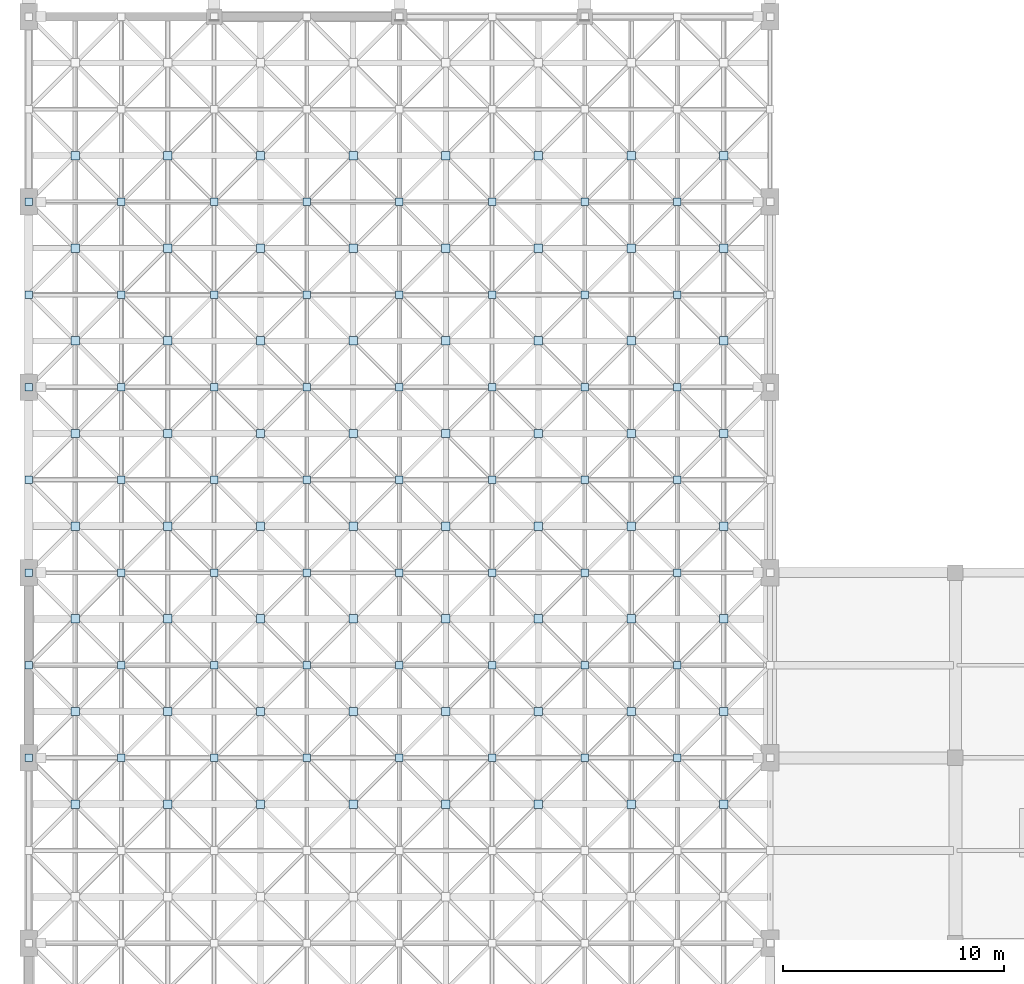
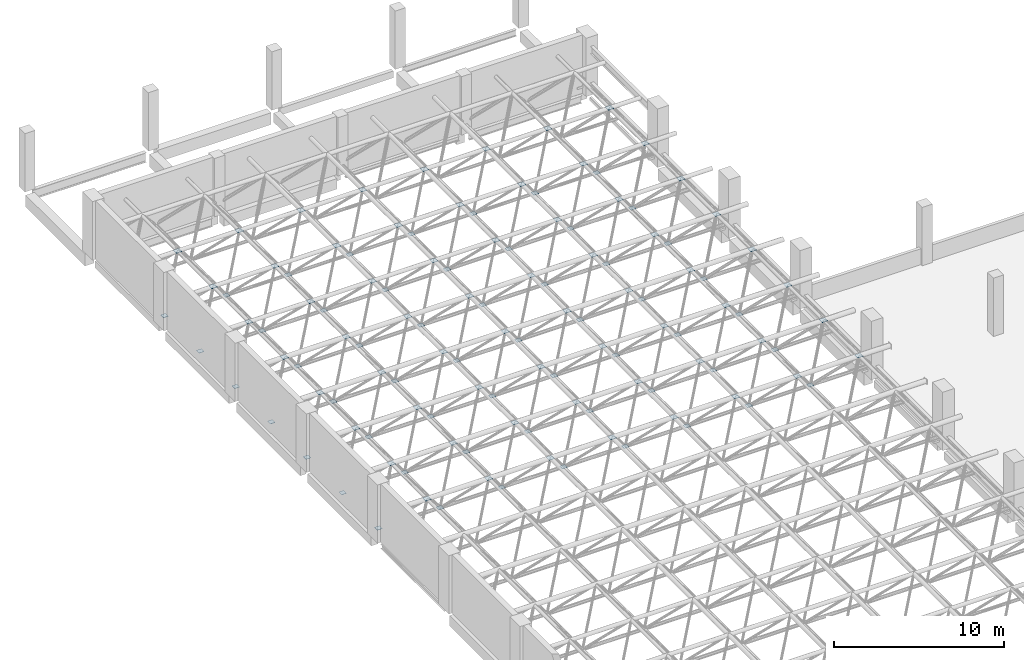
# One storey, part 46 of 64: 120 plates.
"""IFC4 building model written with IfcOpenShell, lengths in metres."""

from ifc_helpers import new_model, si_unit, derived_unit, direction, frame, origin, origin_2d, place, context, subcontext, project, spatial, rectangle, extrude, material, layer, layer_set, type_object, element, save


model = new_model("IFC4")

# Units and contexts
model_context = context("Model", 3, precision=1e-05, world=origin(), true_north=direction((0.0, 1.0)))
body_context = subcontext(model_context, "Body", "Model", "MODEL_VIEW")
ifc_project = project(units=[si_unit("LENGTHUNIT", "METRE"), si_unit("AREAUNIT", "SQUARE_METRE"), si_unit("VOLUMEUNIT", "CUBIC_METRE"), si_unit("PLANEANGLEUNIT", "RADIAN"), si_unit("MASSUNIT", "GRAM", prefix="KILO"), derived_unit("THERMALTRANSMITTANCEUNIT", [(si_unit("POWERUNIT", "WATT"), 1), (si_unit("LENGTHUNIT", "METRE"), -2), (si_unit("THERMODYNAMICTEMPERATUREUNIT", "KELVIN"), -1)])], contexts=[model_context])

# Site, building, storey
site_placement = place(None, origin())
site = spatial("IfcSite", under=ifc_project, at=site_placement, CompositionType="ELEMENT")
building_placement = place(site_placement, origin())
building = spatial("IfcBuilding", under=site, at=building_placement, Name="Barrovel Congress Hotel", CompositionType="ELEMENT")
storey_placement = place(building_placement, frame((0.0, 0.0, 14.10009765625)))
storey = spatial("IfcBuildingStorey", under=building, at=storey_placement, Name="L03", CompositionType="ELEMENT", Elevation=14.10009765625)

# Plates
ifc_material = material(Name="Steel ASTM A992 Grade 50", Category="steel")
ifc_layer_1 = layer(ifc_material, 0.01611328125)
ifc_layer_set_1 = layer_set([ifc_layer_1], Name="Steel ASTM A992 Grade 50")
plate_type_1 = type_object("IfcPlateType", Name="GP-16", PredefinedType="SHEET", material=ifc_layer_set_1)
for number, where, z_axis, x_axis, name in (
    (1, (6.300048828125, 73.5, 3.241943359375), (0.0, 0.0, 1.0), (1.0, 0.0, 0.0), "Space Frame Node Gusset Plate 1-8"),
    (2, (6.300048828125, 81.89990234375, 3.241943359375), (0.0, 0.0, 1.0), (1.0, 0.0, 0.0), "Space Frame Node Gusset Plate 1-10"),
    (3, (6.300048828125, 90.300048828125, 3.241943359375), (0.0, 0.0, 1.0), (1.0, 0.0, 0.0), "Space Frame Node Gusset Plate 1-12"),
    (4, (6.300048828125, 98.699951171875, 3.241943359375), (0.0, 0.0, 1.0), (1.0, 0.0, 0.0), "Space Frame Node Gusset Plate 1-14"),
    (5, (10.5, 69.300048828125, 3.241943359375), (0.0, 0.0, 1.0), (1.0, 0.0, 0.0), "Space Frame Node Gusset Plate 2-7"),
    (6, (10.5, 77.699951171875, 3.241943359375), (0.0, 0.0, 1.0), (1.0, 0.0, 0.0), "Space Frame Node Gusset Plate 2-9"),
    (7, (10.5, 86.10009765625, 3.241943359375), (0.0, 0.0, 1.0), (1.0, 0.0, 0.0), "Space Frame Node Gusset Plate 2-11"),
    (8, (10.5, 94.5, 3.241943359375), (0.0, 0.0, 1.0), (1.0, 0.0, 0.0), "Space Frame Node Gusset Plate 2-13"),
    (9, (14.699951171875, 73.5, 3.241943359375), (0.0, 0.0, 1.0), (1.0, 0.0, 0.0), "Space Frame Node Gusset Plate 3-8"),
    (10, (14.699951171875, 81.89990234375, 3.241943359375), (0.0, 0.0, 1.0), (1.0, 0.0, 0.0), "Space Frame Node Gusset Plate 3-10"),
    (11, (14.699951171875, 90.300048828125, 3.241943359375), (0.0, 0.0, 1.0), (1.0, 0.0, 0.0), "Space Frame Node Gusset Plate 3-12"),
    (12, (14.699951171875, 98.699951171875, 3.241943359375), (0.0, 0.0, 1.0), (1.0, 0.0, 0.0), "Space Frame Node Gusset Plate 3-14"),
    (13, (18.89990234375, 69.300048828125, 3.241943359375), (0.0, 0.0, 1.0), (1.0, 0.0, 0.0), "Space Frame Node Gusset Plate 4-7"),
    (14, (18.89990234375, 77.699951171875, 3.241943359375), (0.0, 0.0, 1.0), (1.0, 0.0, 0.0), "Space Frame Node Gusset Plate 4-9"),
    (15, (18.89990234375, 86.10009765625, 3.241943359375), (0.0, 0.0, 1.0), (1.0, 0.0, 0.0), "Space Frame Node Gusset Plate 4-11"),
    (16, (18.89990234375, 94.5, 3.241943359375), (0.0, 0.0, 1.0), (1.0, 0.0, 0.0), "Space Frame Node Gusset Plate 4-13"),
    (17, (23.10009765625, 73.5, 3.241943359375), (0.0, 0.0, 1.0), (1.0, 0.0, 0.0), "Space Frame Node Gusset Plate 5-8"),
    (18, (23.10009765625, 81.89990234375, 3.241943359375), (0.0, 0.0, 1.0), (1.0, 0.0, 0.0), "Space Frame Node Gusset Plate 5-10"),
    (19, (23.10009765625, 90.300048828125, 3.241943359375), (0.0, 0.0, 1.0), (1.0, 0.0, 0.0), "Space Frame Node Gusset Plate 5-12"),
    (20, (23.10009765625, 98.699951171875, 3.241943359375), (0.0, 0.0, 1.0), (1.0, 0.0, 0.0), "Space Frame Node Gusset Plate 5-14"),
    (21, (27.300048828125, 69.300048828125, 3.241943359375), (0.0, 0.0, 1.0), (1.0, 0.0, 0.0), "Space Frame Node Gusset Plate 6-7"),
    (22, (27.300048828125, 77.699951171875, 3.241943359375), (0.0, 0.0, 1.0), (1.0, 0.0, 0.0), "Space Frame Node Gusset Plate 6-9"),
    (23, (27.300048828125, 86.10009765625, 3.241943359375), (0.0, 0.0, 1.0), (1.0, 0.0, 0.0), "Space Frame Node Gusset Plate 6-11"),
    (24, (27.300048828125, 94.5, 3.241943359375), (0.0, 0.0, 1.0), (1.0, 0.0, 0.0), "Space Frame Node Gusset Plate 6-13"),
):
    element("IfcPlate", number, at=place(storey_placement, frame(where, z_axis=z_axis, x_axis=x_axis)), inside=storey, type_object=plate_type_1, Name=name, PredefinedType="SHEET", context=body_context, shape_type="SweptSolid", body=[
        extrude(rectangle(XDim=0.3798828125, YDim=0.3798828125, at=origin_2d()), origin(), (0.0, 0.0, 1.0), 0.01611328125),
    ])
for number, where, z_axis, x_axis, name in (
    (25, (0.0, 71.39990234375, 0.591796875), (0.0, 0.0, 1.0), (1.0, 0.0, 0.0), "Space Frame Bottom Node Gusset Plate 0-8"),
    (26, (0.0, 75.60009765625, 0.591796875), (0.0, 0.0, 1.0), (1.0, 0.0, 0.0), "Space Frame Bottom Node Gusset Plate 0-9"),
    (27, (0.0, 79.800048828125, 0.591796875), (0.0, 0.0, 1.0), (1.0, 0.0, 0.0), "Space Frame Bottom Node Gusset Plate 0-10"),
    (28, (0.0, 84.0, 0.591796875), (0.0, 0.0, 1.0), (1.0, 0.0, 0.0), "Space Frame Bottom Node Gusset Plate 0-11"),
    (29, (0.0, 88.199951171875, 0.591796875), (0.0, 0.0, 1.0), (1.0, 0.0, 0.0), "Space Frame Bottom Node Gusset Plate 0-12"),
    (30, (0.0, 92.39990234375, 0.591796875), (0.0, 0.0, 1.0), (1.0, 0.0, 0.0), "Space Frame Bottom Node Gusset Plate 0-13"),
    (31, (0.0, 96.60009765625, 0.591796875), (0.0, 0.0, 1.0), (1.0, 0.0, 0.0), "Space Frame Bottom Node Gusset Plate 0-14"),
    (32, (4.199951171875, 71.39990234375, 0.591796875), (0.0, 0.0, 1.0), (1.0, 0.0, 0.0), "Space Frame Bottom Node Gusset Plate 1-8"),
    (33, (4.199951171875, 75.60009765625, 0.591796875), (0.0, 0.0, 1.0), (1.0, 0.0, 0.0), "Space Frame Bottom Node Gusset Plate 1-9"),
    (34, (4.199951171875, 79.800048828125, 0.591796875), (0.0, 0.0, 1.0), (1.0, 0.0, 0.0), "Space Frame Bottom Node Gusset Plate 1-10"),
    (35, (4.199951171875, 84.0, 0.591796875), (0.0, 0.0, 1.0), (1.0, 0.0, 0.0), "Space Frame Bottom Node Gusset Plate 1-11"),
    (36, (4.199951171875, 88.199951171875, 0.591796875), (0.0, 0.0, 1.0), (1.0, 0.0, 0.0), "Space Frame Bottom Node Gusset Plate 1-12"),
    (37, (4.199951171875, 92.39990234375, 0.591796875), (0.0, 0.0, 1.0), (1.0, 0.0, 0.0), "Space Frame Bottom Node Gusset Plate 1-13"),
    (38, (4.199951171875, 96.60009765625, 0.591796875), (0.0, 0.0, 1.0), (1.0, 0.0, 0.0), "Space Frame Bottom Node Gusset Plate 1-14"),
    (39, (8.39990234375, 71.39990234375, 0.591796875), (0.0, 0.0, 1.0), (1.0, 0.0, 0.0), "Space Frame Bottom Node Gusset Plate 2-8"),
    (40, (8.39990234375, 75.60009765625, 0.591796875), (0.0, 0.0, 1.0), (1.0, 0.0, 0.0), "Space Frame Bottom Node Gusset Plate 2-9"),
    (41, (8.39990234375, 79.800048828125, 0.591796875), (0.0, 0.0, 1.0), (1.0, 0.0, 0.0), "Space Frame Bottom Node Gusset Plate 2-10"),
    (42, (8.39990234375, 84.0, 0.591796875), (0.0, 0.0, 1.0), (1.0, 0.0, 0.0), "Space Frame Bottom Node Gusset Plate 2-11"),
    (43, (8.39990234375, 88.199951171875, 0.591796875), (0.0, 0.0, 1.0), (1.0, 0.0, 0.0), "Space Frame Bottom Node Gusset Plate 2-12"),
    (44, (8.39990234375, 92.39990234375, 0.591796875), (0.0, 0.0, 1.0), (1.0, 0.0, 0.0), "Space Frame Bottom Node Gusset Plate 2-13"),
    (45, (8.39990234375, 96.60009765625, 0.591796875), (0.0, 0.0, 1.0), (1.0, 0.0, 0.0), "Space Frame Bottom Node Gusset Plate 2-14"),
    (46, (12.60009765625, 71.39990234375, 0.591796875), (0.0, 0.0, 1.0), (1.0, 0.0, 0.0), "Space Frame Bottom Node Gusset Plate 3-8"),
    (47, (12.60009765625, 75.60009765625, 0.591796875), (0.0, 0.0, 1.0), (1.0, 0.0, 0.0), "Space Frame Bottom Node Gusset Plate 3-9"),
    (48, (12.60009765625, 79.800048828125, 0.591796875), (0.0, 0.0, 1.0), (1.0, 0.0, 0.0), "Space Frame Bottom Node Gusset Plate 3-10"),
    (49, (12.60009765625, 84.0, 0.591796875), (0.0, 0.0, 1.0), (1.0, 0.0, 0.0), "Space Frame Bottom Node Gusset Plate 3-11"),
    (50, (12.60009765625, 88.199951171875, 0.591796875), (0.0, 0.0, 1.0), (1.0, 0.0, 0.0), "Space Frame Bottom Node Gusset Plate 3-12"),
    (51, (12.60009765625, 92.39990234375, 0.591796875), (0.0, 0.0, 1.0), (1.0, 0.0, 0.0), "Space Frame Bottom Node Gusset Plate 3-13"),
    (52, (12.60009765625, 96.60009765625, 0.591796875), (0.0, 0.0, 1.0), (1.0, 0.0, 0.0), "Space Frame Bottom Node Gusset Plate 3-14"),
    (53, (16.800048828125, 71.39990234375, 0.591796875), (0.0, 0.0, 1.0), (1.0, 0.0, 0.0), "Space Frame Bottom Node Gusset Plate 4-8"),
    (54, (16.800048828125, 75.60009765625, 0.591796875), (0.0, 0.0, 1.0), (1.0, 0.0, 0.0), "Space Frame Bottom Node Gusset Plate 4-9"),
    (55, (16.800048828125, 79.800048828125, 0.591796875), (0.0, 0.0, 1.0), (1.0, 0.0, 0.0), "Space Frame Bottom Node Gusset Plate 4-10"),
    (56, (16.800048828125, 84.0, 0.591796875), (0.0, 0.0, 1.0), (1.0, 0.0, 0.0), "Space Frame Bottom Node Gusset Plate 4-11"),
    (57, (16.800048828125, 88.199951171875, 0.591796875), (0.0, 0.0, 1.0), (1.0, 0.0, 0.0), "Space Frame Bottom Node Gusset Plate 4-12"),
    (58, (16.800048828125, 92.39990234375, 0.591796875), (0.0, 0.0, 1.0), (1.0, 0.0, 0.0), "Space Frame Bottom Node Gusset Plate 4-13"),
    (59, (16.800048828125, 96.60009765625, 0.591796875), (0.0, 0.0, 1.0), (1.0, 0.0, 0.0), "Space Frame Bottom Node Gusset Plate 4-14"),
    (60, (21.0, 71.39990234375, 0.591796875), (0.0, 0.0, 1.0), (1.0, 0.0, 0.0), "Space Frame Bottom Node Gusset Plate 5-8"),
    (61, (21.0, 75.60009765625, 0.591796875), (0.0, 0.0, 1.0), (1.0, 0.0, 0.0), "Space Frame Bottom Node Gusset Plate 5-9"),
    (62, (21.0, 79.800048828125, 0.591796875), (0.0, 0.0, 1.0), (1.0, 0.0, 0.0), "Space Frame Bottom Node Gusset Plate 5-10"),
    (63, (21.0, 84.0, 0.591796875), (0.0, 0.0, 1.0), (1.0, 0.0, 0.0), "Space Frame Bottom Node Gusset Plate 5-11"),
    (64, (21.0, 88.199951171875, 0.591796875), (0.0, 0.0, 1.0), (1.0, 0.0, 0.0), "Space Frame Bottom Node Gusset Plate 5-12"),
    (65, (21.0, 92.39990234375, 0.591796875), (0.0, 0.0, 1.0), (1.0, 0.0, 0.0), "Space Frame Bottom Node Gusset Plate 5-13"),
    (66, (21.0, 96.60009765625, 0.591796875), (0.0, 0.0, 1.0), (1.0, 0.0, 0.0), "Space Frame Bottom Node Gusset Plate 5-14"),
    (67, (25.199951171875, 71.39990234375, 0.591796875), (0.0, 0.0, 1.0), (1.0, 0.0, 0.0), "Space Frame Bottom Node Gusset Plate 6-8"),
    (68, (25.199951171875, 75.60009765625, 0.591796875), (0.0, 0.0, 1.0), (1.0, 0.0, 0.0), "Space Frame Bottom Node Gusset Plate 6-9"),
    (69, (25.199951171875, 79.800048828125, 0.591796875), (0.0, 0.0, 1.0), (1.0, 0.0, 0.0), "Space Frame Bottom Node Gusset Plate 6-10"),
    (70, (25.199951171875, 84.0, 0.591796875), (0.0, 0.0, 1.0), (1.0, 0.0, 0.0), "Space Frame Bottom Node Gusset Plate 6-11"),
    (71, (25.199951171875, 88.199951171875, 0.591796875), (0.0, 0.0, 1.0), (1.0, 0.0, 0.0), "Space Frame Bottom Node Gusset Plate 6-12"),
    (72, (25.199951171875, 92.39990234375, 0.591796875), (0.0, 0.0, 1.0), (1.0, 0.0, 0.0), "Space Frame Bottom Node Gusset Plate 6-13"),
    (73, (25.199951171875, 96.60009765625, 0.591796875), (0.0, 0.0, 1.0), (1.0, 0.0, 0.0), "Space Frame Bottom Node Gusset Plate 6-14"),
    (74, (29.39990234375, 71.39990234375, 0.591796875), (0.0, 0.0, 1.0), (1.0, 0.0, 0.0), "Space Frame Bottom Node Gusset Plate 7-8"),
    (75, (29.39990234375, 75.60009765625, 0.591796875), (0.0, 0.0, 1.0), (1.0, 0.0, 0.0), "Space Frame Bottom Node Gusset Plate 7-9"),
    (76, (29.39990234375, 79.800048828125, 0.591796875), (0.0, 0.0, 1.0), (1.0, 0.0, 0.0), "Space Frame Bottom Node Gusset Plate 7-10"),
    (77, (29.39990234375, 84.0, 0.591796875), (0.0, 0.0, 1.0), (1.0, 0.0, 0.0), "Space Frame Bottom Node Gusset Plate 7-11"),
    (78, (29.39990234375, 88.199951171875, 0.591796875), (0.0, 0.0, 1.0), (1.0, 0.0, 0.0), "Space Frame Bottom Node Gusset Plate 7-12"),
    (79, (29.39990234375, 92.39990234375, 0.591796875), (0.0, 0.0, 1.0), (1.0, 0.0, 0.0), "Space Frame Bottom Node Gusset Plate 7-13"),
    (80, (29.39990234375, 96.60009765625, 0.591796875), (0.0, 0.0, 1.0), (1.0, 0.0, 0.0), "Space Frame Bottom Node Gusset Plate 7-14"),
):
    element("IfcPlate", number, at=place(storey_placement, frame(where, z_axis=z_axis, x_axis=x_axis)), inside=storey, type_object=plate_type_1, Name=name, PredefinedType="SHEET", context=body_context, shape_type="SweptSolid", body=[
        extrude(rectangle(XDim=0.340087890625, YDim=0.340087890625, at=origin_2d()), origin(), (0.0, 0.0, 1.0), 0.01611328125),
    ])
ifc_layer_2 = layer(ifc_material, 0.02392578125)
ifc_layer_set_2 = layer_set([ifc_layer_2], Name="Steel ASTM A992 Grade 50")
plate_type_2 = type_object("IfcPlateType", Name="GP-24", PredefinedType="SHEET", material=ifc_layer_set_2)
for number, where, z_axis, x_axis, name in (
    (81, (2.10009765625, 73.5, 3.238037109375), (0.0, 0.0, 1.0), (1.0, 0.0, 0.0), "Space Frame Node Gusset Plate 0-8"),
    (82, (2.10009765625, 81.89990234375, 3.238037109375), (0.0, 0.0, 1.0), (1.0, 0.0, 0.0), "Space Frame Node Gusset Plate 0-10"),
    (83, (2.10009765625, 90.300048828125, 3.238037109375), (0.0, 0.0, 1.0), (1.0, 0.0, 0.0), "Space Frame Node Gusset Plate 0-12"),
    (84, (2.10009765625, 98.699951171875, 3.238037109375), (0.0, 0.0, 1.0), (1.0, 0.0, 0.0), "Space Frame Node Gusset Plate 0-14"),
    (85, (6.300048828125, 69.300048828125, 3.238037109375), (0.0, 0.0, 1.0), (1.0, 0.0, 0.0), "Space Frame Node Gusset Plate 1-7"),
    (86, (6.300048828125, 77.699951171875, 3.238037109375), (0.0, 0.0, 1.0), (1.0, 0.0, 0.0), "Space Frame Node Gusset Plate 1-9"),
    (87, (6.300048828125, 86.10009765625, 3.238037109375), (0.0, 0.0, 1.0), (1.0, 0.0, 0.0), "Space Frame Node Gusset Plate 1-11"),
    (88, (6.300048828125, 94.5, 3.238037109375), (0.0, 0.0, 1.0), (1.0, 0.0, 0.0), "Space Frame Node Gusset Plate 1-13"),
    (89, (10.5, 73.5, 3.238037109375), (0.0, 0.0, 1.0), (1.0, 0.0, 0.0), "Space Frame Node Gusset Plate 2-8"),
    (90, (10.5, 81.89990234375, 3.238037109375), (0.0, 0.0, 1.0), (1.0, 0.0, 0.0), "Space Frame Node Gusset Plate 2-10"),
    (91, (10.5, 90.300048828125, 3.238037109375), (0.0, 0.0, 1.0), (1.0, 0.0, 0.0), "Space Frame Node Gusset Plate 2-12"),
    (92, (10.5, 98.699951171875, 3.238037109375), (0.0, 0.0, 1.0), (1.0, 0.0, 0.0), "Space Frame Node Gusset Plate 2-14"),
    (93, (14.699951171875, 69.300048828125, 3.238037109375), (0.0, 0.0, 1.0), (1.0, 0.0, 0.0), "Space Frame Node Gusset Plate 3-7"),
    (94, (14.699951171875, 77.699951171875, 3.238037109375), (0.0, 0.0, 1.0), (1.0, 0.0, 0.0), "Space Frame Node Gusset Plate 3-9"),
    (95, (14.699951171875, 86.10009765625, 3.238037109375), (0.0, 0.0, 1.0), (1.0, 0.0, 0.0), "Space Frame Node Gusset Plate 3-11"),
    (96, (14.699951171875, 94.5, 3.238037109375), (0.0, 0.0, 1.0), (1.0, 0.0, 0.0), "Space Frame Node Gusset Plate 3-13"),
    (97, (18.89990234375, 73.5, 3.238037109375), (0.0, 0.0, 1.0), (1.0, 0.0, 0.0), "Space Frame Node Gusset Plate 4-8"),
    (98, (18.89990234375, 81.89990234375, 3.238037109375), (0.0, 0.0, 1.0), (1.0, 0.0, 0.0), "Space Frame Node Gusset Plate 4-10"),
    (99, (18.89990234375, 90.300048828125, 3.238037109375), (0.0, 0.0, 1.0), (1.0, 0.0, 0.0), "Space Frame Node Gusset Plate 4-12"),
    (100, (18.89990234375, 98.699951171875, 3.238037109375), (0.0, 0.0, 1.0), (1.0, 0.0, 0.0), "Space Frame Node Gusset Plate 4-14"),
    (101, (23.10009765625, 69.300048828125, 3.238037109375), (0.0, 0.0, 1.0), (1.0, 0.0, 0.0), "Space Frame Node Gusset Plate 5-7"),
    (102, (23.10009765625, 77.699951171875, 3.238037109375), (0.0, 0.0, 1.0), (1.0, 0.0, 0.0), "Space Frame Node Gusset Plate 5-9"),
    (103, (23.10009765625, 86.10009765625, 3.238037109375), (0.0, 0.0, 1.0), (1.0, 0.0, 0.0), "Space Frame Node Gusset Plate 5-11"),
    (104, (23.10009765625, 94.5, 3.238037109375), (0.0, 0.0, 1.0), (1.0, 0.0, 0.0), "Space Frame Node Gusset Plate 5-13"),
    (105, (27.300048828125, 73.5, 3.238037109375), (0.0, 0.0, 1.0), (1.0, 0.0, 0.0), "Space Frame Node Gusset Plate 6-8"),
    (106, (27.300048828125, 81.89990234375, 3.238037109375), (0.0, 0.0, 1.0), (1.0, 0.0, 0.0), "Space Frame Node Gusset Plate 6-10"),
    (107, (27.300048828125, 90.300048828125, 3.238037109375), (0.0, 0.0, 1.0), (1.0, 0.0, 0.0), "Space Frame Node Gusset Plate 6-12"),
    (108, (27.300048828125, 98.699951171875, 3.238037109375), (0.0, 0.0, 1.0), (1.0, 0.0, 0.0), "Space Frame Node Gusset Plate 6-14"),
    (109, (31.5, 69.300048828125, 3.238037109375), (0.0, 0.0, 1.0), (1.0, 0.0, 0.0), "Space Frame Node Gusset Plate 7-7"),
    (110, (31.5, 77.699951171875, 3.238037109375), (0.0, 0.0, 1.0), (1.0, 0.0, 0.0), "Space Frame Node Gusset Plate 7-9"),
    (111, (31.5, 86.10009765625, 3.238037109375), (0.0, 0.0, 1.0), (1.0, 0.0, 0.0), "Space Frame Node Gusset Plate 7-11"),
    (112, (31.5, 94.5, 3.238037109375), (0.0, 0.0, 1.0), (1.0, 0.0, 0.0), "Space Frame Node Gusset Plate 7-13"),
):
    element("IfcPlate", number, at=place(storey_placement, frame(where, z_axis=z_axis, x_axis=x_axis)), inside=storey, type_object=plate_type_2, Name=name, PredefinedType="SHEET", context=body_context, shape_type="SweptSolid", body=[
        extrude(rectangle(XDim=0.3798828125, YDim=0.3798828125, at=origin_2d()), origin(), (0.0, 0.0, 1.0), 0.02392578125),
    ])
ifc_layer_3 = layer(ifc_material, 0.035888671875)
ifc_layer_set_3 = layer_set([ifc_layer_3], Name="Steel ASTM A992 Grade 50")
plate_type_3 = type_object("IfcPlateType", Name="GP-36", PredefinedType="SHEET", material=ifc_layer_set_3)
for number, where, z_axis, x_axis, name in (
    (113, (2.10009765625, 69.300048828125, 3.23193359375), (0.0, 0.0, 1.0), (1.0, 0.0, 0.0), "Space Frame Node Gusset Plate 0-7"),
    (114, (2.10009765625, 77.699951171875, 3.23193359375), (0.0, 0.0, 1.0), (1.0, 0.0, 0.0), "Space Frame Node Gusset Plate 0-9"),
    (115, (2.10009765625, 86.10009765625, 3.23193359375), (0.0, 0.0, 1.0), (1.0, 0.0, 0.0), "Space Frame Node Gusset Plate 0-11"),
    (116, (2.10009765625, 94.5, 3.23193359375), (0.0, 0.0, 1.0), (1.0, 0.0, 0.0), "Space Frame Node Gusset Plate 0-13"),
    (117, (31.5, 73.5, 3.23193359375), (0.0, 0.0, 1.0), (1.0, 0.0, 0.0), "Space Frame Node Gusset Plate 7-8"),
    (118, (31.5, 81.89990234375, 3.23193359375), (0.0, 0.0, 1.0), (1.0, 0.0, 0.0), "Space Frame Node Gusset Plate 7-10"),
    (119, (31.5, 90.300048828125, 3.23193359375), (0.0, 0.0, 1.0), (1.0, 0.0, 0.0), "Space Frame Node Gusset Plate 7-12"),
    (120, (31.5, 98.699951171875, 3.23193359375), (0.0, 0.0, 1.0), (1.0, 0.0, 0.0), "Space Frame Node Gusset Plate 7-14"),
):
    element("IfcPlate", number, at=place(storey_placement, frame(where, z_axis=z_axis, x_axis=x_axis)), inside=storey, type_object=plate_type_3, Name=name, PredefinedType="SHEET", context=body_context, shape_type="SweptSolid", body=[
        extrude(rectangle(XDim=0.3798828125, YDim=0.3798828125, at=origin_2d()), origin(), (0.0, 0.0, 1.0), 0.035888671875),
    ])

save(model, "model.ifc")
